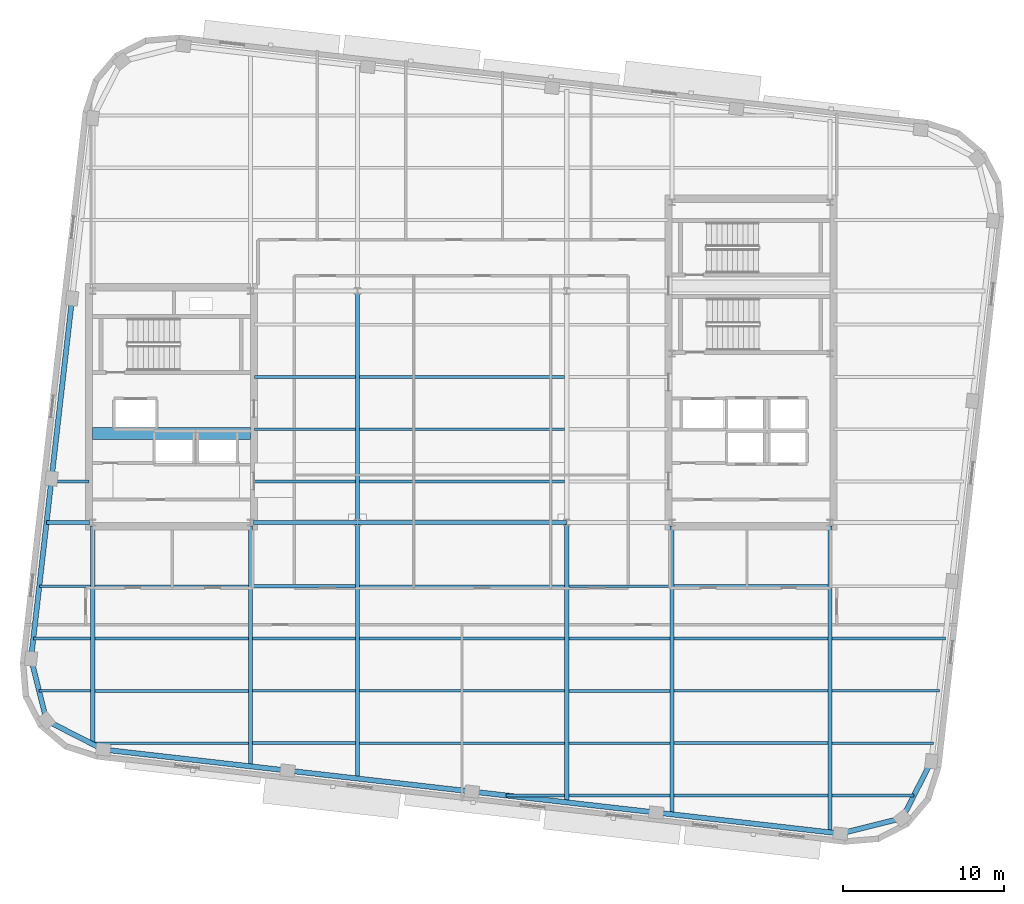
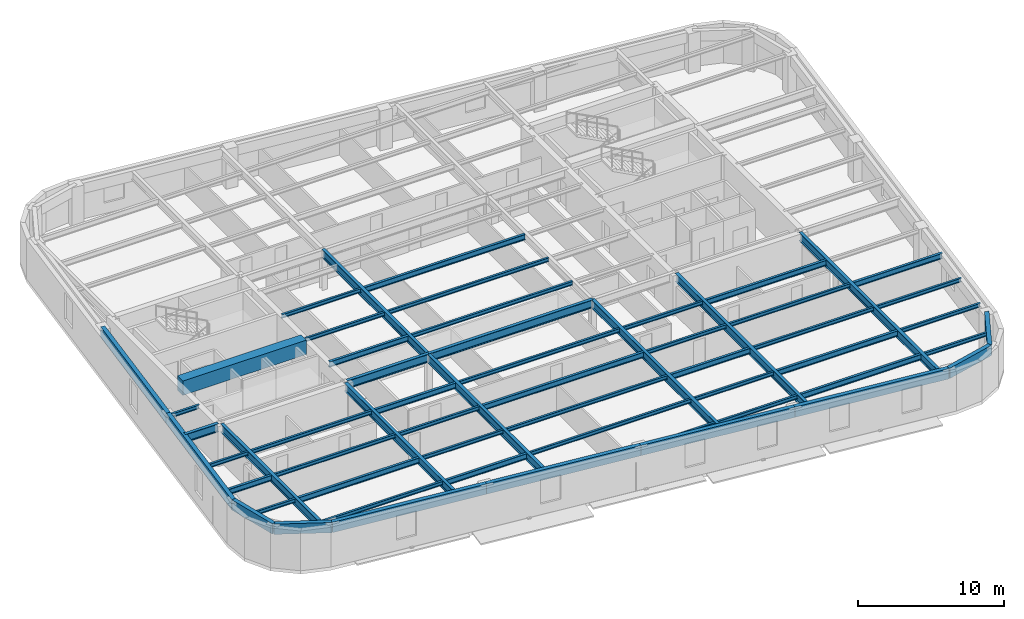
# One storey, part 3 of 13: 58 beams.
"""IFC4 building model written with IfcOpenShell, lengths in metres."""

import ifcopenshell
import ifcopenshell.guid

model = None  # the IFC model being written
_history = None  # IfcOwnerHistory: only IFC2X3 demands one
_inside = {}  # id of a spatial element -> (the spatial element, [elements in it])
_under = {}  # id of a project, library or spatial element -> (it, [spatial elements below it])
_declared = {}  # id of a project -> (the project, [libraries it declares])
_typed = {}  # id of a type object -> (the type object, [elements of that type])
_made_of = {}  # id of a material, layer set ... -> (it, [elements and type objects made of it])


def new_model(schema):
    """Start an empty IFC model of exactly this schema.

    Asked for "IFC4X3", IfcOpenShell would pick the latest addendum, in which some entities
    have other attributes; the version numbers below select the first issue.
    IFC2X3 requires an IfcOwnerHistory on every rooted entity: one is made here for all.
    """
    global model, _history
    if schema == "IFC4X3":
        model = ifcopenshell.file(schema_version=(4, 3, 0, 0))
    else:
        model = ifcopenshell.file(schema=schema)
    _inside.clear()
    _under.clear()
    _declared.clear()
    _typed.clear()
    _made_of.clear()
    _history = None
    if model.schema == "IFC2X3":
        org = make("IfcOrganization", Name="unknown")
        user = make(
            "IfcPersonAndOrganization",
            ThePerson=make("IfcPerson", FamilyName="unknown"),
            TheOrganization=org,
        )
        app = make(
            "IfcApplication",
            ApplicationDeveloper=org,
            Version="unknown",
            ApplicationFullName="unknown",
            ApplicationIdentifier="unknown",
        )
        _history = make(
            "IfcOwnerHistory",
            OwningUser=user,
            OwningApplication=app,
            ChangeAction="ADDED",
            CreationDate=0,
        )
    return model


def make(cls, **values):
    """One entity of the class cls with the attributes given. An attribute that is None is left unset."""
    return model.create_entity(
        cls, **{name: value for name, value in values.items() if value is not None}
    )


def rooted(cls, **values):
    """An entity with a GlobalId (a new one), such as an element, a storey or a relation."""
    return make(cls, GlobalId=ifcopenshell.guid.new(), OwnerHistory=_history, **values)


def si_unit(unit_type, name, prefix=None):
    """IfcSIUnit, for example si_unit("LENGTHUNIT", "METRE", prefix="MILLI")."""
    return make("IfcSIUnit", UnitType=unit_type, Prefix=prefix, Name=name)


def assignment(units):
    """IfcUnitAssignment: the units of a project."""
    return None if units is None else make("IfcUnitAssignment", Units=units)


def point(xyz):
    """IfcCartesianPoint."""
    return None if xyz is None else make("IfcCartesianPoint", Coordinates=xyz)


def direction(xyz):
    """IfcDirection."""
    return None if xyz is None else make("IfcDirection", DirectionRatios=xyz)


def frame(location, z_axis=None, x_axis=None):
    """IfcAxis2Placement3D, a coordinate frame: its origin and axes. An axis left out is left unset."""
    return make(
        "IfcAxis2Placement3D",
        Location=point(location),
        Axis=direction(z_axis),
        RefDirection=direction(x_axis),
    )


def frame_2d(location, x_axis=None):
    """IfcAxis2Placement2D, a coordinate frame in the plane: its origin and x axis."""
    return make(
        "IfcAxis2Placement2D", Location=point(location), RefDirection=direction(x_axis)
    )


def origin():
    """The frame at (0, 0, 0) with its axes left unset."""
    return frame((0.0, 0.0, 0.0))


def origin_2d():
    """The frame at (0, 0) in the plane with its x axis left unset."""
    return frame_2d((0.0, 0.0))


def place(relative_to, where):
    """IfcLocalPlacement: puts the frame where relative to a parent placement (None: the world)."""
    return make(
        "IfcLocalPlacement", PlacementRelTo=relative_to, RelativePlacement=where
    )


def context(
    kind, dimensions, precision=None, world=None, true_north=None, identifier=None
):
    """IfcGeometricRepresentationContext, for example the 3D "Model" context."""
    return make(
        "IfcGeometricRepresentationContext",
        ContextIdentifier=identifier,
        ContextType=kind,
        CoordinateSpaceDimension=dimensions,
        Precision=precision,
        WorldCoordinateSystem=world,
        TrueNorth=true_north,
    )


def subcontext(parent, identifier, kind, view, scale=None):
    """IfcGeometricRepresentationSubContext, for example "Body" below "Model"."""
    return make(
        "IfcGeometricRepresentationSubContext",
        ContextIdentifier=identifier,
        ContextType=kind,
        ParentContext=parent,
        TargetScale=scale,
        TargetView=view,
    )


def project(units=None, contexts=None):
    """IfcProject with its units and contexts."""
    return rooted(
        "IfcProject",
        Name="project",
        RepresentationContexts=contexts,
        UnitsInContext=assignment(units),
    )


def spatial(cls, under=None, at=None, **own):
    """A site, building, storey or space (cls), placed at a placement, below another one or the project."""
    s = rooted(cls, ObjectPlacement=at, **own)
    if under is not None:
        _under.setdefault(under.id(), (under, []))[1].append(s)
    return s


def profile(cls, at=None, kind="AREA", **sizes):
    """A parametric profile (cls). Its sizes go by their IFC names, for example OverallWidth=200.0."""
    return make(cls, ProfileType=kind, Position=at, **sizes)


def rectangle(**sizes):
    """IfcRectangleProfileDef."""
    return profile("IfcRectangleProfileDef", **sizes)


def hollow_rectangle(**sizes):
    """IfcRectangleHollowProfileDef."""
    return profile("IfcRectangleHollowProfileDef", **sizes)


def i_section(**sizes):
    """IfcIShapeProfileDef."""
    return profile("IfcIShapeProfileDef", **sizes)


def extrude(swept, where, along, depth):
    """IfcExtrudedAreaSolid: the profile swept, set in the frame where, extruded along a direction by depth."""
    return make(
        "IfcExtrudedAreaSolid",
        SweptArea=swept,
        Position=where,
        ExtrudedDirection=direction(along),
        Depth=depth,
    )


def shape(context_of_items, identifier, shape_type, items):
    """IfcShapeRepresentation: the items that make up one representation, for example the "Body"."""
    return make(
        "IfcShapeRepresentation",
        ContextOfItems=context_of_items,
        RepresentationIdentifier=identifier,
        RepresentationType=shape_type,
        Items=items,
    )


def material(Name=None, Category=None):
    """IfcMaterial."""
    return make("IfcMaterial", Name=Name, Category=Category)


def material_profile(
    of_material, cross_section, Name=None, Category=None, Priority=None
):
    """IfcMaterialProfile: a cross section and its material."""
    return make(
        "IfcMaterialProfile",
        Name=Name,
        Material=of_material,
        Profile=cross_section,
        Priority=Priority,
        Category=Category,
    )


def profile_set(profiles, Name=None, composite=None):
    """IfcMaterialProfileSet."""
    return make(
        "IfcMaterialProfileSet",
        Name=Name,
        MaterialProfiles=profiles,
        CompositeProfile=composite,
    )


def made_of(thing, what):
    """Note that an element or type object is made of a material, layer set ...; save() writes the relation."""
    if what is not None:
        _made_of.setdefault(what.id(), (what, []))[1].append(thing)
    return thing


def type_object(cls, material=None, **own):
    """A type object (cls), such as IfcWallType, which elements share."""
    return made_of(rooted(cls, **own), material)


def element(
    cls,
    number,
    at=None,
    inside=None,
    cuts=None,
    type_object=None,
    material=None,
    context=None,
    identifier="Body",
    shape_type=None,
    held_by="IfcProductDefinitionShape",
    body=None,
    shapes=None,
    **own,
):
    """One element of the class cls, such as IfcWall. Its Tag is "e" and its number.

    at: its placement. inside: the storey or other place that contains it. cuts: it is an
    opening in that element (IfcRelVoidsElement). A single representation is given by context,
    identifier, shape_type and body (its items); several are given by shapes. held_by: the class
    of the entity that holds the representations. save() writes the other relations.
    """
    e = rooted(cls, Tag="e%d" % number, ObjectPlacement=at, **own)
    if body is not None:
        shapes = [shape(context, identifier, shape_type, body)]
    if shapes is not None:
        e.Representation = make(held_by, Representations=shapes)
    if inside is not None:
        _inside.setdefault(inside.id(), (inside, []))[1].append(e)
    if cuts is not None:
        rooted(
            "IfcRelVoidsElement", RelatingBuildingElement=cuts, RelatedOpeningElement=e
        )
    if type_object is not None:
        _typed.setdefault(type_object.id(), (type_object, []))[1].append(e)
    return made_of(e, material)


def aggregate(whole, parts):
    """IfcRelAggregates: a whole, such as a stair, and the parts it consists of."""
    return rooted("IfcRelAggregates", RelatingObject=whole, RelatedObjects=parts)


def save(model, path):
    """Write the relations noted so far, then the file.

    IfcRelAggregates (storeys below a building ...), IfcRelContainedInSpatialStructure (elements
    in a storey), IfcRelDefinesByType, IfcRelAssociatesMaterial and IfcRelDeclares: one each for
    every whole, place, type object, material and project.
    """
    for whole, parts in _under.values():
        aggregate(whole, parts)
    for where, things in _inside.values():
        rooted(
            "IfcRelContainedInSpatialStructure",
            RelatedElements=things,
            RelatingStructure=where,
        )
    for kind, things in _typed.values():
        rooted("IfcRelDefinesByType", RelatedObjects=things, RelatingType=kind)
    for what, things in _made_of.values():
        rooted("IfcRelAssociatesMaterial", RelatedObjects=things, RelatingMaterial=what)
    for by, libraries in _declared.values():
        rooted("IfcRelDeclares", RelatingContext=by, RelatedDefinitions=libraries)
    model.write(path)


model = new_model("IFC4")

# Units and contexts
model_context = context("Model", 3, precision=1e-05, world=origin(), true_north=direction((0.0, 1.0)))
body_context = subcontext(model_context, "Body", "Model", "MODEL_VIEW")
ifc_project = project(units=[si_unit("LENGTHUNIT", "METRE"), si_unit("AREAUNIT", "SQUARE_METRE"), si_unit("VOLUMEUNIT", "CUBIC_METRE"), si_unit("PLANEANGLEUNIT", "RADIAN"), si_unit("MASSUNIT", "GRAM", prefix="KILO")], contexts=[model_context])

# Site, building, storey
site_placement = place(None, origin())
site = spatial("IfcSite", under=ifc_project, at=site_placement, CompositionType="ELEMENT")
building_placement = place(site_placement, origin())
building = spatial("IfcBuilding", under=site, at=building_placement, Name="Kolvaren Arena Tower", CompositionType="ELEMENT")
storey_placement = place(building_placement, frame((0.0, 0.0, 265.949951171875)))
storey = spatial("IfcBuildingStorey", under=building, at=storey_placement, Name="L65", CompositionType="ELEMENT", Elevation=265.949951171875)

# Beams
ifc_material_1 = material(Name="Steel CSA G40.21 350W", Category="steel")
ifc_material_profile_1 = material_profile(ifc_material_1, i_section(OverallWidth=0.193115234375, OverallDepth=0.462890625, WebThickness=0.0107421875, FlangeThickness=0.0205078125, FilletRadius=0.012939453125, at=origin_2d()), Name="W460x113")
ifc_profile_set_1 = profile_set([ifc_material_profile_1], Name="Steel CSA G40.21 350W")
beam_type_1 = type_object("IfcBeamType", Name="BEAM-F2", PredefinedType="BEAM", material=ifc_profile_set_1)
beam_1_placement = place(storey_placement, frame((50.677490234375, 2.5, 3.0986328125), z_axis=(1.0, 0.0, 0.0), x_axis=(0.0, 1.0, 0.0)))
element("IfcBeam", 1, at=beam_1_placement, inside=storey, type_object=beam_type_1, Name="Composite Floor Beam (L65)", PredefinedType="BEAM", context=body_context, shape_type="SweptSolid", body=[
    extrude(i_section(OverallWidth=0.193115234375, OverallDepth=0.462890625, WebThickness=0.0107421875, FlangeThickness=0.0205078125, FilletRadius=0.012939453125, at=origin_2d()), origin(), (0.0, 0.0, 1.0), 9.544921875),
])
beam_2_placement = place(storey_placement, frame((24.4775390625, 5.75, 3.0986328125), z_axis=(1.0, 0.0, 0.0), x_axis=(0.0, 1.0, 0.0)))
element("IfcBeam", 2, at=beam_2_placement, inside=storey, type_object=beam_type_1, Name="Composite Floor Beam (L65)", PredefinedType="BEAM", context=body_context, shape_type="SweptSolid", body=[
    extrude(i_section(OverallWidth=0.193115234375, OverallDepth=0.462890625, WebThickness=0.0107421875, FlangeThickness=0.0205078125, FilletRadius=0.012939453125, at=origin_2d()), origin(), (0.0, 0.0, 1.0), 6.39501953125),
])
for number, where, z_axis, x_axis, name in (
    (3, (50.677490234375, 5.75, 3.0986328125), (1.0, 0.0, 0.0), (0.0, 1.0, 0.0), "Composite Floor Beam (L65)"),
    (4, (14.677490234375, 9.0, 3.0986328125), (1.0, 0.0, 0.0), (0.0, 1.0, 0.0), "Composite Floor Beam (L65)"),
):
    element("IfcBeam", number, at=place(storey_placement, frame(where, z_axis=z_axis, x_axis=x_axis)), inside=storey, type_object=beam_type_1, Name=name, PredefinedType="BEAM", context=body_context, shape_type="SweptSolid", body=[
        extrude(i_section(OverallWidth=0.193115234375, OverallDepth=0.462890625, WebThickness=0.0107421875, FlangeThickness=0.0205078125, FilletRadius=0.012939453125, at=origin_2d()), origin(), (0.0, 0.0, 1.0), 9.544921875),
    ])
beam_3_placement = place(storey_placement, frame((44.12744140625, 9.0, 3.0986328125), z_axis=(1.0, 0.0, 0.0), x_axis=(0.0, 1.0, 0.0)))
element("IfcBeam", 5, at=beam_3_placement, inside=storey, type_object=beam_type_1, Name="Composite Floor Beam (L65)", PredefinedType="BEAM", context=body_context, shape_type="SweptSolid", body=[
    extrude(i_section(OverallWidth=0.193115234375, OverallDepth=0.462890625, WebThickness=0.0107421875, FlangeThickness=0.0205078125, FilletRadius=0.012939453125, at=origin_2d()), origin(), (0.0, 0.0, 1.0), 6.295166015625),
])
beam_4_placement = place(storey_placement, frame((10.86083984375, 12.25, 3.0986328125), z_axis=(1.0, 0.0, 0.0), x_axis=(0.0, 1.0, 0.0)))
element("IfcBeam", 6, at=beam_4_placement, inside=storey, type_object=beam_type_1, Name="Composite Floor Beam (L65)", PredefinedType="BEAM", context=body_context, shape_type="SweptSolid", body=[
    extrude(i_section(OverallWidth=0.193115234375, OverallDepth=0.462890625, WebThickness=0.0107421875, FlangeThickness=0.0205078125, FilletRadius=0.012939453125, at=origin_2d()), origin(), (0.0, 0.0, 1.0), 3.561767578125),
])
beam_5_placement = place(storey_placement, frame((31.12744140625, 12.25, 3.0986328125), z_axis=(1.0, 0.0, 0.0), x_axis=(0.0, 1.0, 0.0)))
element("IfcBeam", 7, at=beam_5_placement, inside=storey, type_object=beam_type_1, Name="Composite Floor Beam (L65)", PredefinedType="BEAM", context=body_context, shape_type="SweptSolid", body=[
    extrude(i_section(OverallWidth=0.193115234375, OverallDepth=0.462890625, WebThickness=0.0107421875, FlangeThickness=0.0205078125, FilletRadius=0.012939453125, at=origin_2d()), origin(), (0.0, 0.0, 1.0), 12.7451171875),
])
beam_6_placement = place(storey_placement, frame((60.4775390625, 12.25, 3.0986328125), z_axis=(1.0, 0.0, 0.0), x_axis=(0.0, 1.0, 0.0)))
element("IfcBeam", 8, at=beam_6_placement, inside=storey, type_object=beam_type_1, Name="Composite Floor Beam (L65)", PredefinedType="BEAM", context=body_context, shape_type="SweptSolid", body=[
    extrude(i_section(OverallWidth=0.193115234375, OverallDepth=0.462890625, WebThickness=0.0107421875, FlangeThickness=0.0205078125, FilletRadius=0.012939453125, at=origin_2d()), origin(), (0.0, 0.0, 1.0), 7.04736328125),
])
beam_7_placement = place(storey_placement, frame((24.4775390625, 15.5, 3.0986328125), z_axis=(1.0, 0.0, 0.0), x_axis=(0.0, 1.0, 0.0)))
element("IfcBeam", 9, at=beam_7_placement, inside=storey, type_object=beam_type_1, Name="Composite Floor Beam (L65)", PredefinedType="BEAM", context=body_context, shape_type="SweptSolid", body=[
    extrude(i_section(OverallWidth=0.193115234375, OverallDepth=0.462890625, WebThickness=0.0107421875, FlangeThickness=0.0205078125, FilletRadius=0.012939453125, at=origin_2d()), origin(), (0.0, 0.0, 1.0), 6.39501953125),
])
beam_8_placement = place(storey_placement, frame((50.677490234375, 15.5, 3.0986328125), z_axis=(1.0, 0.0, 0.0), x_axis=(0.0, 1.0, 0.0)))
element("IfcBeam", 10, at=beam_8_placement, inside=storey, type_object=beam_type_1, Name="Composite Floor Beam (L65)", PredefinedType="BEAM", context=body_context, shape_type="SweptSolid", body=[
    extrude(i_section(OverallWidth=0.193115234375, OverallDepth=0.462890625, WebThickness=0.0107421875, FlangeThickness=0.0205078125, FilletRadius=0.012939453125, at=origin_2d()), origin(), (0.0, 0.0, 1.0), 9.544921875),
])
beam_9_placement = place(storey_placement, frame((24.594970703125, 22.0, 3.0986328125), z_axis=(1.0, 0.0, 0.0), x_axis=(0.0, 1.0, 0.0)))
element("IfcBeam", 11, at=beam_9_placement, inside=storey, type_object=beam_type_1, Name="Composite Floor Beam (L65)", PredefinedType="BEAM", context=body_context, shape_type="SweptSolid", body=[
    extrude(i_section(OverallWidth=0.193115234375, OverallDepth=0.462890625, WebThickness=0.0107421875, FlangeThickness=0.0205078125, FilletRadius=0.012939453125, at=origin_2d()), origin(), (0.0, 0.0, 1.0), 6.277587890625),
])
beam_10_placement = place(storey_placement, frame((31.12744140625, 28.5, 3.0986328125), z_axis=(1.0, 0.0, 0.0), x_axis=(0.0, 1.0, 0.0)))
element("IfcBeam", 12, at=beam_10_placement, inside=storey, type_object=beam_type_1, Name="Composite Floor Beam (L65)", PredefinedType="BEAM", context=body_context, shape_type="SweptSolid", body=[
    extrude(i_section(OverallWidth=0.193115234375, OverallDepth=0.462890625, WebThickness=0.0107421875, FlangeThickness=0.0205078125, FilletRadius=0.012939453125, at=origin_2d()), origin(), (0.0, 0.0, 1.0), 12.7451171875),
])
ifc_material_2 = material(Name="Concrete 60 MPa", Category="concrete")
ifc_material_profile_2 = material_profile(ifc_material_2, rectangle(XDim=0.75, YDim=1.199951171875, at=origin_2d()), Name="RC-750x1200")
ifc_profile_set_2 = profile_set([ifc_material_profile_2], Name="Concrete 60 MPa")
beam_type_2 = type_object("IfcBeamType", Name="CB-CORE-2", PredefinedType="BEAM", material=ifc_profile_set_2)
beam_11_placement = place(storey_placement, frame((14.550048828125, 25.0, 3.0), z_axis=(1.0, 0.0, 0.0), x_axis=(0.0, 1.0, 0.0)))
element("IfcBeam", 13, at=beam_11_placement, inside=storey, type_object=beam_type_2, Name="West Core Coupling Beam (L65)", PredefinedType="BEAM", context=body_context, shape_type="SweptSolid", body=[
    extrude(rectangle(XDim=0.75, YDim=1.199951171875, at=origin_2d()), origin(), (0.0, 0.0, 1.0), 9.800048828125),
])
ifc_material_profile_3 = material_profile(ifc_material_1, i_section(OverallWidth=0.2548828125, OverallDepth=0.695068359375, WebThickness=0.01708984375, FlangeThickness=0.02978515625, FilletRadius=0.01611328125, at=origin_2d()), Name="W690x217")
ifc_profile_set_3 = profile_set([ifc_material_profile_3], Name="Steel CSA G40.21 350W")
beam_type_3 = type_object("IfcBeamType", Name="GIRD-T2", PredefinedType="BEAM", material=ifc_profile_set_3)
beam_12_placement = place(storey_placement, frame((11.68115234375, 19.449951171875, 2.982666015625), z_axis=(1.0, 0.0, 0.0), x_axis=(0.0, 1.0, 0.0)))
element("IfcBeam", 14, at=beam_12_placement, inside=storey, type_object=beam_type_3, Name="Primary Floor Girder (L65)", PredefinedType="BEAM", context=body_context, shape_type="SweptSolid", body=[
    extrude(i_section(OverallWidth=0.2548828125, OverallDepth=0.695068359375, WebThickness=0.01708984375, FlangeThickness=0.02978515625, FilletRadius=0.01611328125, at=origin_2d()), origin(), (0.0, 0.0, 1.0), 2.663818359375),
])
beam_13_placement = place(storey_placement, frame((24.554931640625, 19.449951171875, 2.982666015625), z_axis=(1.0, 0.0, 0.0), x_axis=(0.0, 1.0, 0.0)))
element("IfcBeam", 15, at=beam_13_placement, inside=storey, type_object=beam_type_3, Name="Primary Floor Girder (L65)", PredefinedType="BEAM", context=body_context, shape_type="SweptSolid", body=[
    extrude(i_section(OverallWidth=0.2548828125, OverallDepth=0.695068359375, WebThickness=0.01708984375, FlangeThickness=0.02978515625, FilletRadius=0.01611328125, at=origin_2d()), origin(), (0.0, 0.0, 1.0), 6.445068359375),
])
beam_14_placement = place(storey_placement, frame((31.0, 19.449951171875, 2.982666015625), z_axis=(1.0, 0.0, 0.0), x_axis=(0.0, 1.0, 0.0)))
element("IfcBeam", 16, at=beam_14_placement, inside=storey, type_object=beam_type_3, Name="Primary Floor Girder (L65)", PredefinedType="BEAM", context=body_context, shape_type="SweptSolid", body=[
    extrude(i_section(OverallWidth=0.2548828125, OverallDepth=0.695068359375, WebThickness=0.01708984375, FlangeThickness=0.02978515625, FilletRadius=0.01611328125, at=origin_2d()), origin(), (0.0, 0.0, 1.0), 13.0),
])
beam_15_placement = place(storey_placement, frame((14.550048828125, 5.686767578125, 2.982666015625), z_axis=(0.0, 1.0, 0.0), x_axis=(-1.0, 0.0, 0.0)))
element("IfcBeam", 17, at=beam_15_placement, inside=storey, type_object=beam_type_3, Name="Primary Floor Girder (L65)", PredefinedType="BEAM", context=body_context, shape_type="SweptSolid", body=[
    extrude(i_section(OverallWidth=0.2548828125, OverallDepth=0.695068359375, WebThickness=0.01708984375, FlangeThickness=0.02978515625, FilletRadius=0.01611328125, at=origin_2d()), origin(), (0.0, 0.0, 1.0), 13.558349609375),
])
beam_16_placement = place(storey_placement, frame((24.35009765625, 4.30908203125, 2.982666015625), z_axis=(0.0, 1.0, 0.0), x_axis=(-1.0, 0.0, 0.0)))
element("IfcBeam", 18, at=beam_16_placement, inside=storey, type_object=beam_type_3, Name="Primary Floor Girder (L65)", PredefinedType="BEAM", context=body_context, shape_type="SweptSolid", body=[
    extrude(i_section(OverallWidth=0.2548828125, OverallDepth=0.695068359375, WebThickness=0.01708984375, FlangeThickness=0.02978515625, FilletRadius=0.01611328125, at=origin_2d()), origin(), (0.0, 0.0, 1.0), 14.93603515625),
])
beam_17_placement = place(storey_placement, frame((31.0, 3.551513671875, 2.982666015625), z_axis=(0.0, 1.0, 0.0), x_axis=(-1.0, 0.0, 0.0)))
element("IfcBeam", 19, at=beam_17_placement, inside=storey, type_object=beam_type_3, Name="Primary Floor Girder (L65)", PredefinedType="BEAM", context=body_context, shape_type="SweptSolid", body=[
    extrude(i_section(OverallWidth=0.2548828125, OverallDepth=0.695068359375, WebThickness=0.01708984375, FlangeThickness=0.02978515625, FilletRadius=0.01611328125, at=origin_2d()), origin(), (0.0, 0.0, 1.0), 15.8984375),
])
beam_18_placement = place(storey_placement, frame((31.0, 19.449951171875, 2.982666015625), z_axis=(0.0, 1.0, 0.0), x_axis=(-1.0, 0.0, 0.0)))
element("IfcBeam", 20, at=beam_18_placement, inside=storey, type_object=beam_type_3, Name="Primary Floor Girder (L65)", PredefinedType="BEAM", context=body_context, shape_type="SweptSolid", body=[
    extrude(i_section(OverallWidth=0.2548828125, OverallDepth=0.695068359375, WebThickness=0.01708984375, FlangeThickness=0.02978515625, FilletRadius=0.01611328125, at=origin_2d()), origin(), (0.0, 0.0, 1.0), 14.400146484375),
])
beam_19_placement = place(storey_placement, frame((44.0, 2.0703125, 2.982666015625), z_axis=(0.0, 1.0, 0.0), x_axis=(-1.0, 0.0, 0.0)))
element("IfcBeam", 21, at=beam_19_placement, inside=storey, type_object=beam_type_3, Name="Primary Floor Girder (L65)", PredefinedType="BEAM", context=body_context, shape_type="SweptSolid", body=[
    extrude(i_section(OverallWidth=0.2548828125, OverallDepth=0.695068359375, WebThickness=0.01708984375, FlangeThickness=0.02978515625, FilletRadius=0.01611328125, at=origin_2d()), origin(), (0.0, 0.0, 1.0), 17.379638671875),
])
beam_20_placement = place(storey_placement, frame((50.550048828125, 1.323974609375, 2.982666015625), z_axis=(0.0, 1.0, 0.0), x_axis=(-1.0, 0.0, 0.0)))
element("IfcBeam", 22, at=beam_20_placement, inside=storey, type_object=beam_type_3, Name="Primary Floor Girder (L65)", PredefinedType="BEAM", context=body_context, shape_type="SweptSolid", body=[
    extrude(i_section(OverallWidth=0.2548828125, OverallDepth=0.695068359375, WebThickness=0.01708984375, FlangeThickness=0.02978515625, FilletRadius=0.01611328125, at=origin_2d()), origin(), (0.0, 0.0, 1.0), 17.921142578125),
])
beam_21_placement = place(storey_placement, frame((60.35009765625, 0.20751953125, 2.982666015625), z_axis=(0.0, 1.0, 0.0), x_axis=(-1.0, 0.0, 0.0)))
element("IfcBeam", 23, at=beam_21_placement, inside=storey, type_object=beam_type_3, Name="Primary Floor Girder (L65)", PredefinedType="BEAM", context=body_context, shape_type="SweptSolid", body=[
    extrude(i_section(OverallWidth=0.2548828125, OverallDepth=0.695068359375, WebThickness=0.01708984375, FlangeThickness=0.02978515625, FilletRadius=0.01611328125, at=origin_2d()), origin(), (0.0, 0.0, 1.0), 19.03759765625),
])
ifc_material_profile_4 = material_profile(ifc_material_1, i_section(OverallWidth=0.1669921875, OverallDepth=0.31689453125, WebThickness=0.007568359375, FlangeThickness=0.01318359375, FilletRadius=0.010009765625, at=origin_2d()), Name="W310x52")
ifc_profile_set_4 = profile_set([ifc_material_profile_4], Name="Steel CSA G40.21 350W")
beam_type_4 = type_object("IfcBeamType", Name="JOIST-02", PredefinedType="JOIST", material=ifc_profile_set_4)
beam_22_placement = place(storey_placement, frame((40.228271484375, 2.5, 3.171630859375), z_axis=(1.0, 0.0, 0.0), x_axis=(0.0, 1.0, 0.0)))
element("IfcBeam", 24, at=beam_22_placement, inside=storey, type_object=beam_type_4, Name="Composite Floor Joist (L65)", PredefinedType="JOIST", context=body_context, shape_type="SweptSolid", body=[
    extrude(i_section(OverallWidth=0.1669921875, OverallDepth=0.31689453125, WebThickness=0.007568359375, FlangeThickness=0.01318359375, FilletRadius=0.010009765625, at=origin_2d()), origin(), (0.0, 0.0, 1.0), 3.644287109375),
])
beam_23_placement = place(storey_placement, frame((44.12744140625, 2.5, 3.171630859375), z_axis=(1.0, 0.0, 0.0), x_axis=(0.0, 1.0, 0.0)))
element("IfcBeam", 25, at=beam_23_placement, inside=storey, type_object=beam_type_4, Name="Composite Floor Joist (L65)", PredefinedType="JOIST", context=body_context, shape_type="SweptSolid", body=[
    extrude(i_section(OverallWidth=0.1669921875, OverallDepth=0.31689453125, WebThickness=0.007568359375, FlangeThickness=0.01318359375, FilletRadius=0.010009765625, at=origin_2d()), origin(), (0.0, 0.0, 1.0), 6.295166015625),
])
beam_24_placement = place(storey_placement, frame((60.4775390625, 2.5, 3.171630859375), z_axis=(1.0, 0.0, 0.0), x_axis=(0.0, 1.0, 0.0)))
element("IfcBeam", 26, at=beam_24_placement, inside=storey, type_object=beam_type_4, Name="Composite Floor Joist (L65)", PredefinedType="JOIST", context=body_context, shape_type="SweptSolid", body=[
    extrude(i_section(OverallWidth=0.1669921875, OverallDepth=0.31689453125, WebThickness=0.007568359375, FlangeThickness=0.01318359375, FilletRadius=0.010009765625, at=origin_2d()), origin(), (0.0, 0.0, 1.0), 5.09423828125),
])
beam_25_placement = place(storey_placement, frame((14.42626953125, 5.75, 3.171630859375), z_axis=(1.0, 0.0, 0.0), x_axis=(0.0, 1.0, 0.0)))
element("IfcBeam", 27, at=beam_25_placement, inside=storey, type_object=beam_type_4, Name="Composite Floor Joist (L65)", PredefinedType="JOIST", context=body_context, shape_type="SweptSolid", body=[
    extrude(i_section(OverallWidth=0.1669921875, OverallDepth=0.31689453125, WebThickness=0.007568359375, FlangeThickness=0.01318359375, FilletRadius=0.010009765625, at=origin_2d()), origin(), (0.0, 0.0, 1.0), 9.796142578125),
])
beam_26_placement = place(storey_placement, frame((31.12744140625, 5.75, 3.171630859375), z_axis=(1.0, 0.0, 0.0), x_axis=(0.0, 1.0, 0.0)))
element("IfcBeam", 28, at=beam_26_placement, inside=storey, type_object=beam_type_4, Name="Composite Floor Joist (L65)", PredefinedType="JOIST", context=body_context, shape_type="SweptSolid", body=[
    extrude(i_section(OverallWidth=0.1669921875, OverallDepth=0.31689453125, WebThickness=0.007568359375, FlangeThickness=0.01318359375, FilletRadius=0.010009765625, at=origin_2d()), origin(), (0.0, 0.0, 1.0), 12.7451171875),
])
beam_27_placement = place(storey_placement, frame((44.12744140625, 5.75, 3.171630859375), z_axis=(1.0, 0.0, 0.0), x_axis=(0.0, 1.0, 0.0)))
element("IfcBeam", 29, at=beam_27_placement, inside=storey, type_object=beam_type_4, Name="Composite Floor Joist (L65)", PredefinedType="JOIST", context=body_context, shape_type="SweptSolid", body=[
    extrude(i_section(OverallWidth=0.1669921875, OverallDepth=0.31689453125, WebThickness=0.007568359375, FlangeThickness=0.01318359375, FilletRadius=0.010009765625, at=origin_2d()), origin(), (0.0, 0.0, 1.0), 6.295166015625),
])
beam_28_placement = place(storey_placement, frame((60.4775390625, 5.75, 3.171630859375), z_axis=(1.0, 0.0, 0.0), x_axis=(0.0, 1.0, 0.0)))
element("IfcBeam", 30, at=beam_28_placement, inside=storey, type_object=beam_type_4, Name="Composite Floor Joist (L65)", PredefinedType="JOIST", context=body_context, shape_type="SweptSolid", body=[
    extrude(i_section(OverallWidth=0.1669921875, OverallDepth=0.31689453125, WebThickness=0.007568359375, FlangeThickness=0.01318359375, FilletRadius=0.010009765625, at=origin_2d()), origin(), (0.0, 0.0, 1.0), 6.306884765625),
])
beam_29_placement = place(storey_placement, frame((11.217529296875, 9.0, 3.171630859375), z_axis=(1.0, 0.0, 0.0), x_axis=(0.0, 1.0, 0.0)))
element("IfcBeam", 31, at=beam_29_placement, inside=storey, type_object=beam_type_4, Name="Composite Floor Joist (L65)", PredefinedType="JOIST", context=body_context, shape_type="SweptSolid", body=[
    extrude(i_section(OverallWidth=0.1669921875, OverallDepth=0.31689453125, WebThickness=0.007568359375, FlangeThickness=0.01318359375, FilletRadius=0.010009765625, at=origin_2d()), origin(), (0.0, 0.0, 1.0), 3.205078125),
])
beam_30_placement = place(storey_placement, frame((24.4775390625, 9.0, 3.171630859375), z_axis=(1.0, 0.0, 0.0), x_axis=(0.0, 1.0, 0.0)))
element("IfcBeam", 32, at=beam_30_placement, inside=storey, type_object=beam_type_4, Name="Composite Floor Joist (L65)", PredefinedType="JOIST", context=body_context, shape_type="SweptSolid", body=[
    extrude(i_section(OverallWidth=0.1669921875, OverallDepth=0.31689453125, WebThickness=0.007568359375, FlangeThickness=0.01318359375, FilletRadius=0.010009765625, at=origin_2d()), origin(), (0.0, 0.0, 1.0), 6.39501953125),
])
beam_31_placement = place(storey_placement, frame((31.12744140625, 9.0, 3.171630859375), z_axis=(1.0, 0.0, 0.0), x_axis=(0.0, 1.0, 0.0)))
element("IfcBeam", 33, at=beam_31_placement, inside=storey, type_object=beam_type_4, Name="Composite Floor Joist (L65)", PredefinedType="JOIST", context=body_context, shape_type="SweptSolid", body=[
    extrude(i_section(OverallWidth=0.1669921875, OverallDepth=0.31689453125, WebThickness=0.007568359375, FlangeThickness=0.01318359375, FilletRadius=0.010009765625, at=origin_2d()), origin(), (0.0, 0.0, 1.0), 12.7451171875),
])
beam_32_placement = place(storey_placement, frame((50.677490234375, 9.0, 3.171630859375), z_axis=(1.0, 0.0, 0.0), x_axis=(0.0, 1.0, 0.0)))
element("IfcBeam", 34, at=beam_32_placement, inside=storey, type_object=beam_type_4, Name="Composite Floor Joist (L65)", PredefinedType="JOIST", context=body_context, shape_type="SweptSolid", body=[
    extrude(i_section(OverallWidth=0.1669921875, OverallDepth=0.31689453125, WebThickness=0.007568359375, FlangeThickness=0.01318359375, FilletRadius=0.010009765625, at=origin_2d()), origin(), (0.0, 0.0, 1.0), 9.544921875),
])
beam_33_placement = place(storey_placement, frame((60.4775390625, 9.0, 3.171630859375), z_axis=(1.0, 0.0, 0.0), x_axis=(0.0, 1.0, 0.0)))
element("IfcBeam", 35, at=beam_33_placement, inside=storey, type_object=beam_type_4, Name="Composite Floor Joist (L65)", PredefinedType="JOIST", context=body_context, shape_type="SweptSolid", body=[
    extrude(i_section(OverallWidth=0.1669921875, OverallDepth=0.31689453125, WebThickness=0.007568359375, FlangeThickness=0.01318359375, FilletRadius=0.010009765625, at=origin_2d()), origin(), (0.0, 0.0, 1.0), 6.67724609375),
])
beam_34_placement = place(storey_placement, frame((14.677490234375, 12.25, 3.171630859375), z_axis=(1.0, 0.0, 0.0), x_axis=(0.0, 1.0, 0.0)))
element("IfcBeam", 36, at=beam_34_placement, inside=storey, type_object=beam_type_4, Name="Composite Floor Joist (L65)", PredefinedType="JOIST", context=body_context, shape_type="SweptSolid", body=[
    extrude(i_section(OverallWidth=0.1669921875, OverallDepth=0.31689453125, WebThickness=0.007568359375, FlangeThickness=0.01318359375, FilletRadius=0.010009765625, at=origin_2d()), origin(), (0.0, 0.0, 1.0), 9.544921875),
])
beam_35_placement = place(storey_placement, frame((24.4775390625, 12.25, 3.171630859375), z_axis=(1.0, 0.0, 0.0), x_axis=(0.0, 1.0, 0.0)))
element("IfcBeam", 37, at=beam_35_placement, inside=storey, type_object=beam_type_4, Name="Composite Floor Joist (L65)", PredefinedType="JOIST", context=body_context, shape_type="SweptSolid", body=[
    extrude(i_section(OverallWidth=0.1669921875, OverallDepth=0.31689453125, WebThickness=0.007568359375, FlangeThickness=0.01318359375, FilletRadius=0.010009765625, at=origin_2d()), origin(), (0.0, 0.0, 1.0), 6.39501953125),
])
beam_36_placement = place(storey_placement, frame((44.12744140625, 12.25, 3.171630859375), z_axis=(1.0, 0.0, 0.0), x_axis=(0.0, 1.0, 0.0)))
element("IfcBeam", 38, at=beam_36_placement, inside=storey, type_object=beam_type_4, Name="Composite Floor Joist (L65)", PredefinedType="JOIST", context=body_context, shape_type="SweptSolid", body=[
    extrude(i_section(OverallWidth=0.1669921875, OverallDepth=0.31689453125, WebThickness=0.007568359375, FlangeThickness=0.01318359375, FilletRadius=0.010009765625, at=origin_2d()), origin(), (0.0, 0.0, 1.0), 6.295166015625),
])
beam_37_placement = place(storey_placement, frame((50.677490234375, 12.25, 3.171630859375), z_axis=(1.0, 0.0, 0.0), x_axis=(0.0, 1.0, 0.0)))
element("IfcBeam", 39, at=beam_37_placement, inside=storey, type_object=beam_type_4, Name="Composite Floor Joist (L65)", PredefinedType="JOIST", context=body_context, shape_type="SweptSolid", body=[
    extrude(i_section(OverallWidth=0.1669921875, OverallDepth=0.31689453125, WebThickness=0.007568359375, FlangeThickness=0.01318359375, FilletRadius=0.010009765625, at=origin_2d()), origin(), (0.0, 0.0, 1.0), 9.544921875),
])
beam_38_placement = place(storey_placement, frame((11.23095703125, 15.5, 3.171630859375), z_axis=(1.0, 0.0, 0.0), x_axis=(0.0, 1.0, 0.0)))
element("IfcBeam", 40, at=beam_38_placement, inside=storey, type_object=beam_type_4, Name="Composite Floor Joist (L65)", PredefinedType="JOIST", context=body_context, shape_type="SweptSolid", body=[
    extrude(i_section(OverallWidth=0.1669921875, OverallDepth=0.31689453125, WebThickness=0.007568359375, FlangeThickness=0.01318359375, FilletRadius=0.010009765625, at=origin_2d()), origin(), (0.0, 0.0, 1.0), 3.191650390625),
])
beam_39_placement = place(storey_placement, frame((14.677490234375, 15.5, 3.171630859375), z_axis=(1.0, 0.0, 0.0), x_axis=(0.0, 1.0, 0.0)))
element("IfcBeam", 41, at=beam_39_placement, inside=storey, type_object=beam_type_4, Name="Composite Floor Joist (L65)", PredefinedType="JOIST", context=body_context, shape_type="SweptSolid", body=[
    extrude(i_section(OverallWidth=0.1669921875, OverallDepth=0.31689453125, WebThickness=0.007568359375, FlangeThickness=0.01318359375, FilletRadius=0.010009765625, at=origin_2d()), origin(), (0.0, 0.0, 1.0), 9.544921875),
])
beam_40_placement = place(storey_placement, frame((31.12744140625, 15.5, 3.171630859375), z_axis=(1.0, 0.0, 0.0), x_axis=(0.0, 1.0, 0.0)))
element("IfcBeam", 42, at=beam_40_placement, inside=storey, type_object=beam_type_4, Name="Composite Floor Joist (L65)", PredefinedType="JOIST", context=body_context, shape_type="SweptSolid", body=[
    extrude(i_section(OverallWidth=0.1669921875, OverallDepth=0.31689453125, WebThickness=0.007568359375, FlangeThickness=0.01318359375, FilletRadius=0.010009765625, at=origin_2d()), origin(), (0.0, 0.0, 1.0), 12.7451171875),
])
beam_41_placement = place(storey_placement, frame((44.12744140625, 15.5, 3.171630859375), z_axis=(1.0, 0.0, 0.0), x_axis=(0.0, 1.0, 0.0)))
element("IfcBeam", 43, at=beam_41_placement, inside=storey, type_object=beam_type_4, Name="Composite Floor Joist (L65)", PredefinedType="JOIST", context=body_context, shape_type="SweptSolid", body=[
    extrude(i_section(OverallWidth=0.1669921875, OverallDepth=0.31689453125, WebThickness=0.007568359375, FlangeThickness=0.01318359375, FilletRadius=0.010009765625, at=origin_2d()), origin(), (0.0, 0.0, 1.0), 6.295166015625),
])
beam_42_placement = place(storey_placement, frame((11.9716796875, 22.0, 3.171630859375), z_axis=(1.0, 0.0, 0.0), x_axis=(0.0, 1.0, 0.0)))
element("IfcBeam", 44, at=beam_42_placement, inside=storey, type_object=beam_type_4, Name="Composite Floor Joist (L65)", PredefinedType="JOIST", context=body_context, shape_type="SweptSolid", body=[
    extrude(i_section(OverallWidth=0.1669921875, OverallDepth=0.31689453125, WebThickness=0.007568359375, FlangeThickness=0.01318359375, FilletRadius=0.010009765625, at=origin_2d()), origin(), (0.0, 0.0, 1.0), 2.333251953125),
])
beam_43_placement = place(storey_placement, frame((31.12744140625, 22.0, 3.171630859375), z_axis=(1.0, 0.0, 0.0), x_axis=(0.0, 1.0, 0.0)))
element("IfcBeam", 45, at=beam_43_placement, inside=storey, type_object=beam_type_4, Name="Composite Floor Joist (L65)", PredefinedType="JOIST", context=body_context, shape_type="SweptSolid", body=[
    extrude(i_section(OverallWidth=0.1669921875, OverallDepth=0.31689453125, WebThickness=0.007568359375, FlangeThickness=0.01318359375, FilletRadius=0.010009765625, at=origin_2d()), origin(), (0.0, 0.0, 1.0), 12.7451171875),
])
beam_44_placement = place(storey_placement, frame((24.594970703125, 25.25, 3.171630859375), z_axis=(1.0, 0.0, 0.0), x_axis=(0.0, 1.0, 0.0)))
element("IfcBeam", 46, at=beam_44_placement, inside=storey, type_object=beam_type_4, Name="Composite Floor Joist (L65)", PredefinedType="JOIST", context=body_context, shape_type="SweptSolid", body=[
    extrude(i_section(OverallWidth=0.1669921875, OverallDepth=0.31689453125, WebThickness=0.007568359375, FlangeThickness=0.01318359375, FilletRadius=0.010009765625, at=origin_2d()), origin(), (0.0, 0.0, 1.0), 6.277587890625),
])
beam_45_placement = place(storey_placement, frame((31.12744140625, 25.25, 3.171630859375), z_axis=(1.0, 0.0, 0.0), x_axis=(0.0, 1.0, 0.0)))
element("IfcBeam", 47, at=beam_45_placement, inside=storey, type_object=beam_type_4, Name="Composite Floor Joist (L65)", PredefinedType="JOIST", context=body_context, shape_type="SweptSolid", body=[
    extrude(i_section(OverallWidth=0.1669921875, OverallDepth=0.31689453125, WebThickness=0.007568359375, FlangeThickness=0.01318359375, FilletRadius=0.010009765625, at=origin_2d()), origin(), (0.0, 0.0, 1.0), 12.7451171875),
])
beam_46_placement = place(storey_placement, frame((24.594970703125, 28.5, 3.171630859375), z_axis=(1.0, 0.0, 0.0), x_axis=(0.0, 1.0, 0.0)))
element("IfcBeam", 48, at=beam_46_placement, inside=storey, type_object=beam_type_4, Name="Composite Floor Joist (L65)", PredefinedType="JOIST", context=body_context, shape_type="SweptSolid", body=[
    extrude(i_section(OverallWidth=0.1669921875, OverallDepth=0.31689453125, WebThickness=0.007568359375, FlangeThickness=0.01318359375, FilletRadius=0.010009765625, at=origin_2d()), origin(), (0.0, 0.0, 1.0), 6.277587890625),
])
ifc_material_3 = material(Name="Steel CSA G40.21 350WT", Category="steel")
ifc_material_profile_5 = material_profile(ifc_material_3, hollow_rectangle(XDim=0.320068359375, YDim=0.860107421875, WallThickness=0.01806640625, at=origin_2d()), Name="HSS 860x320x18")
ifc_profile_set_5 = profile_set([ifc_material_profile_5], Name="Steel CSA G40.21 350WT")
beam_type_5 = type_object("IfcBeamType", Name="SPAND-02", PredefinedType="SPANDREL", material=ifc_profile_set_5)
for number, where, z_axis, x_axis, name in (
    (49, (15.207763671875, 5.350830078125, 2.900146484375), (0.99357166944, -0.113204848336, 0.0), (0.113204848336, 0.99357166944, 0.0), "Perimeter Spandrel Beam (L65)"),
    (50, (26.65869140625, 4.046142578125, 2.900146484375), (0.99357166944, -0.113204848336, 0.0), (0.113204848336, 0.99357166944, 0.0), "Perimeter Spandrel Beam (L65)"),
):
    element("IfcBeam", number, at=place(storey_placement, frame(where, z_axis=z_axis, x_axis=x_axis)), inside=storey, type_object=beam_type_5, Name=name, PredefinedType="SPANDREL", context=body_context, shape_type="SweptSolid", body=[
        extrude(hollow_rectangle(XDim=0.320068359375, YDim=0.860107421875, WallThickness=0.01806640625, at=origin_2d()), origin(), (0.0, 0.0, 1.0), 11.52490234375),
    ])
beam_47_placement = place(storey_placement, frame((38.109619140625, 2.741455078125, 2.900146484375), z_axis=(0.993571397957, -0.113207231049, 0.0), x_axis=(0.113207231049, 0.993571397957, 0.0)))
element("IfcBeam", 51, at=beam_47_placement, inside=storey, type_object=beam_type_5, Name="Perimeter Spandrel Beam (L65)", PredefinedType="SPANDREL", context=body_context, shape_type="SweptSolid", body=[
    extrude(hollow_rectangle(XDim=0.320068359375, YDim=0.860107421875, WallThickness=0.01806640625, at=origin_2d()), origin(), (0.0, 0.0, 1.0), 11.524658203125),
])
beam_48_placement = place(storey_placement, frame((49.560302734375, 1.436767578125, 2.900146484375), z_axis=(0.993571940905, -0.113202465721, 0.0), x_axis=(0.113202465721, 0.993571940905, 0.0)))
element("IfcBeam", 52, at=beam_48_placement, inside=storey, type_object=beam_type_5, Name="Perimeter Spandrel Beam (L65)", PredefinedType="SPANDREL", context=body_context, shape_type="SweptSolid", body=[
    extrude(hollow_rectangle(XDim=0.320068359375, YDim=0.860107421875, WallThickness=0.01806640625, at=origin_2d()), origin(), (0.0, 0.0, 1.0), 11.525146484375),
])
beam_49_placement = place(storey_placement, frame((61.011474609375, 0.132080078125, 2.900146484375), z_axis=(0.970033632471, 0.242970681103, 0.0), x_axis=(-0.242970681103, 0.970033632471, 0.0)))
element("IfcBeam", 53, at=beam_49_placement, inside=storey, type_object=beam_type_5, Name="Perimeter Spandrel Beam (L65)", PredefinedType="SPANDREL", context=body_context, shape_type="SweptSolid", body=[
    extrude(hollow_rectangle(XDim=0.320068359375, YDim=0.860107421875, WallThickness=0.01806640625, at=origin_2d()), origin(), (0.0, 0.0, 1.0), 3.9609375),
])
beam_50_placement = place(storey_placement, frame((64.853759765625, 1.094482421875, 2.900146484375), z_axis=(0.454962284061, 0.89051070745, 0.0), x_axis=(-0.89051070745, 0.454962284061, 0.0)))
element("IfcBeam", 54, at=beam_50_placement, inside=storey, type_object=beam_type_5, Name="Perimeter Spandrel Beam (L65)", PredefinedType="SPANDREL", context=body_context, shape_type="SweptSolid", body=[
    extrude(hollow_rectangle(XDim=0.320068359375, YDim=0.860107421875, WallThickness=0.01806640625, at=origin_2d()), origin(), (0.0, 0.0, 1.0), 3.96142578125),
])
beam_51_placement = place(storey_placement, frame((13.268798828125, 33.3837890625, 2.900146484375), z_axis=(-0.113220850685, -0.993569846045, 0.0), x_axis=(0.993569846045, -0.113220850685, 0.0)))
element("IfcBeam", 55, at=beam_51_placement, inside=storey, type_object=beam_type_5, Name="Perimeter Spandrel Beam (L65)", PredefinedType="SPANDREL", context=body_context, shape_type="SweptSolid", body=[
    extrude(hollow_rectangle(XDim=0.320068359375, YDim=0.860107421875, WallThickness=0.01806640625, at=origin_2d()), origin(), (0.0, 0.0, 1.0), 11.266845703125),
])
beam_52_placement = place(storey_placement, frame((11.9931640625, 22.189453125, 2.900146484375), z_axis=(-0.113201896536, -0.993572005755, 0.0), x_axis=(0.993572005755, -0.113201896536, 0.0)))
element("IfcBeam", 56, at=beam_52_placement, inside=storey, type_object=beam_type_5, Name="Perimeter Spandrel Beam (L65)", PredefinedType="SPANDREL", context=body_context, shape_type="SweptSolid", body=[
    extrude(hollow_rectangle(XDim=0.320068359375, YDim=0.860107421875, WallThickness=0.01806640625, at=origin_2d()), origin(), (0.0, 0.0, 1.0), 11.2666015625),
])
beam_53_placement = place(storey_placement, frame((10.7177734375, 10.995361328125, 2.900146484375), z_axis=(0.243014148252, -0.970022743934, 0.0), x_axis=(0.970022743934, 0.243014148252, 0.0)))
element("IfcBeam", 57, at=beam_53_placement, inside=storey, type_object=beam_type_5, Name="Perimeter Spandrel Beam (L65)", PredefinedType="SPANDREL", context=body_context, shape_type="SweptSolid", body=[
    extrude(hollow_rectangle(XDim=0.320068359375, YDim=0.860107421875, WallThickness=0.01806640625, at=origin_2d()), origin(), (0.0, 0.0, 1.0), 3.961181640625),
])
beam_54_placement = place(storey_placement, frame((11.680419921875, 7.15283203125, 2.900146484375), z_axis=(0.890522920884, -0.454938377564, 0.0), x_axis=(0.454938377564, 0.890522920884, 0.0)))
element("IfcBeam", 58, at=beam_54_placement, inside=storey, type_object=beam_type_5, Name="Perimeter Spandrel Beam (L65)", PredefinedType="SPANDREL", context=body_context, shape_type="SweptSolid", body=[
    extrude(hollow_rectangle(XDim=0.320068359375, YDim=0.860107421875, WallThickness=0.01806640625, at=origin_2d()), origin(), (0.0, 0.0, 1.0), 3.9609375),
])

save(model, "model.ifc")
